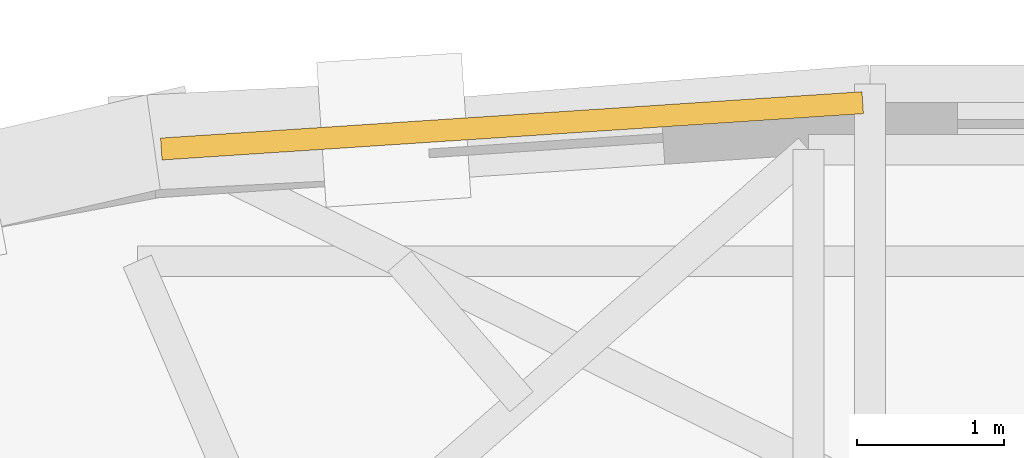
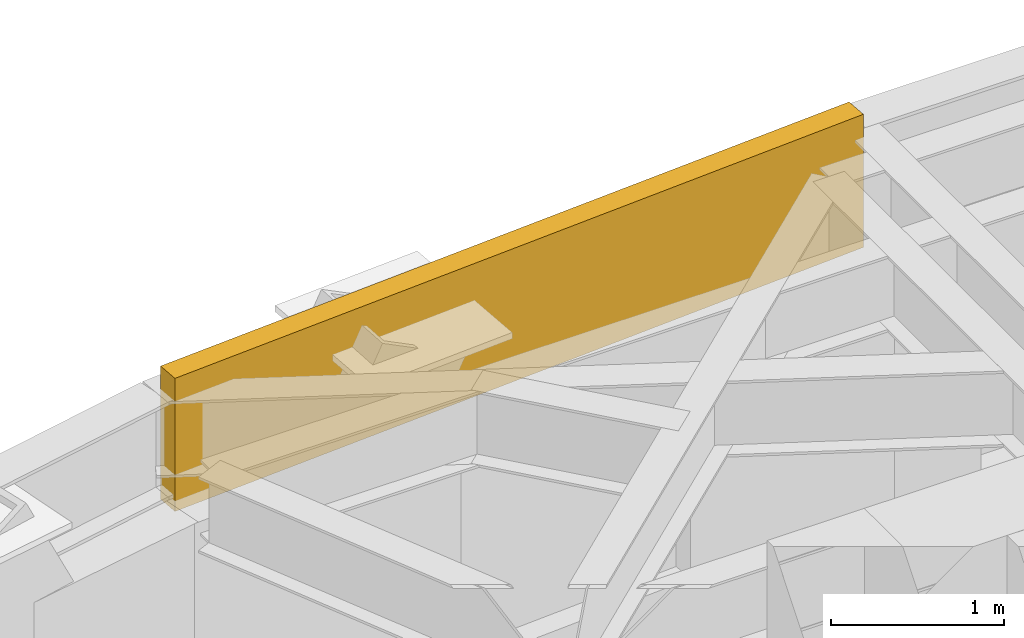
# One storey, part 15 of 15: 1 covering.
"""IFC4 building model written with IfcOpenShell, lengths in metres."""

from ifc_helpers import new_model, si_unit, direction, frame, origin, origin_2d, place, context, subcontext, project, spatial, rectangle, extrude, material, layer, layer_set, type_object, element, save


model = new_model("IFC4")

# Units and contexts
model_context = context("Model", 3, precision=1e-05, world=origin(), true_north=direction((0.0, 1.0)))
body_context = subcontext(model_context, "Body", "Model", "MODEL_VIEW")
ifc_project = project(units=[si_unit("LENGTHUNIT", "METRE"), si_unit("AREAUNIT", "SQUARE_METRE"), si_unit("VOLUMEUNIT", "CUBIC_METRE"), si_unit("PLANEANGLEUNIT", "RADIAN"), si_unit("MASSUNIT", "GRAM", prefix="KILO")], contexts=[model_context])

# Site, building, storey
site_placement = place(None, origin())
site = spatial("IfcSite", under=ifc_project, at=site_placement, CompositionType="ELEMENT")
building_placement = place(site_placement, origin())
building = spatial("IfcBuilding", under=site, at=building_placement, Name="Keldmark Tower", CompositionType="ELEMENT")
storey_placement = place(building_placement, frame((0.0, 0.0, 147.0)))
storey = spatial("IfcBuildingStorey", under=building, at=storey_placement, Name="L39", CompositionType="ELEMENT", Elevation=147.0)

# Covering
ifc_material = material(Name="Honed Kasota Buff Dolomitic Limestone", Category="masonry")
ifc_layer = layer(ifc_material, 0.074951171875)
ifc_layer_set = layer_set([ifc_layer], Name="Honed Kasota Buff Dolomitic Limestone")
covering_type = type_object("IfcCoveringType", Name="Kasota Buff Limestone Spandrel Cladding Band", PredefinedType="CLADDING", material=ifc_layer_set)
covering_placement = place(storey_placement, frame((-4.873779296875, 16.439453125, 2.239013671875), z_axis=(0.0, 0.0, 1.0), x_axis=(-0.997824541457, -0.065925597951, 0.0)))
element("IfcCovering", 1, at=covering_placement, inside=storey, type_object=covering_type, Name="L39 Kasota Limestone Spandrel Band 09", PredefinedType="CLADDING", context=body_context, shape_type="SweptSolid", body=[
    extrude(rectangle(XDim=4.796142578125, YDim=0.14990234375, at=origin_2d()), origin(), (0.0, 0.0, 1.0), 0.94091796875),
])

save(model, "model.ifc")
